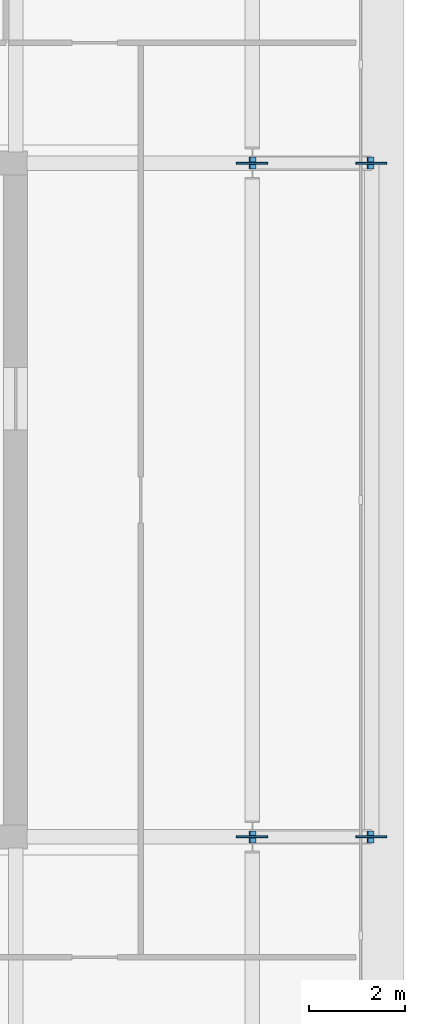
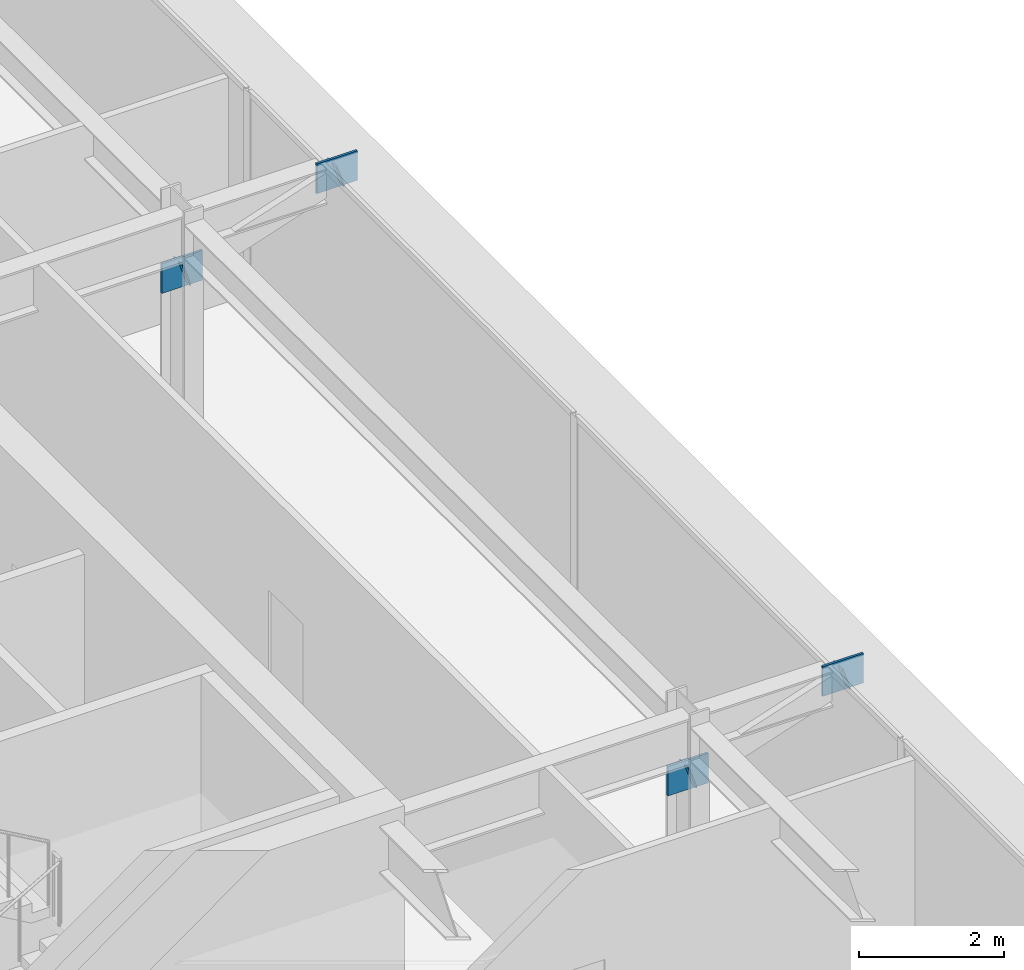
# One storey, part 12 of 21: 8 plates.
"""IFC4 building model written with IfcOpenShell, lengths in metres."""

import ifcopenshell
import ifcopenshell.guid

model = None  # the IFC model being written
_history = None  # IfcOwnerHistory: only IFC2X3 demands one
_inside = {}  # id of a spatial element -> (the spatial element, [elements in it])
_under = {}  # id of a project, library or spatial element -> (it, [spatial elements below it])
_declared = {}  # id of a project -> (the project, [libraries it declares])
_typed = {}  # id of a type object -> (the type object, [elements of that type])
_made_of = {}  # id of a material, layer set ... -> (it, [elements and type objects made of it])


def new_model(schema):
    """Start an empty IFC model of exactly this schema.

    Asked for "IFC4X3", IfcOpenShell would pick the latest addendum, in which some entities
    have other attributes; the version numbers below select the first issue.
    IFC2X3 requires an IfcOwnerHistory on every rooted entity: one is made here for all.
    """
    global model, _history
    if schema == "IFC4X3":
        model = ifcopenshell.file(schema_version=(4, 3, 0, 0))
    else:
        model = ifcopenshell.file(schema=schema)
    _inside.clear()
    _under.clear()
    _declared.clear()
    _typed.clear()
    _made_of.clear()
    _history = None
    if model.schema == "IFC2X3":
        org = make("IfcOrganization", Name="unknown")
        user = make(
            "IfcPersonAndOrganization",
            ThePerson=make("IfcPerson", FamilyName="unknown"),
            TheOrganization=org,
        )
        app = make(
            "IfcApplication",
            ApplicationDeveloper=org,
            Version="unknown",
            ApplicationFullName="unknown",
            ApplicationIdentifier="unknown",
        )
        _history = make(
            "IfcOwnerHistory",
            OwningUser=user,
            OwningApplication=app,
            ChangeAction="ADDED",
            CreationDate=0,
        )
    return model


def make(cls, **values):
    """One entity of the class cls with the attributes given. An attribute that is None is left unset."""
    return model.create_entity(
        cls, **{name: value for name, value in values.items() if value is not None}
    )


def rooted(cls, **values):
    """An entity with a GlobalId (a new one), such as an element, a storey or a relation."""
    return make(cls, GlobalId=ifcopenshell.guid.new(), OwnerHistory=_history, **values)


def si_unit(unit_type, name, prefix=None):
    """IfcSIUnit, for example si_unit("LENGTHUNIT", "METRE", prefix="MILLI")."""
    return make("IfcSIUnit", UnitType=unit_type, Prefix=prefix, Name=name)


def assignment(units):
    """IfcUnitAssignment: the units of a project."""
    return None if units is None else make("IfcUnitAssignment", Units=units)


def point(xyz):
    """IfcCartesianPoint."""
    return None if xyz is None else make("IfcCartesianPoint", Coordinates=xyz)


def direction(xyz):
    """IfcDirection."""
    return None if xyz is None else make("IfcDirection", DirectionRatios=xyz)


def frame(location, z_axis=None, x_axis=None):
    """IfcAxis2Placement3D, a coordinate frame: its origin and axes. An axis left out is left unset."""
    return make(
        "IfcAxis2Placement3D",
        Location=point(location),
        Axis=direction(z_axis),
        RefDirection=direction(x_axis),
    )


def frame_2d(location, x_axis=None):
    """IfcAxis2Placement2D, a coordinate frame in the plane: its origin and x axis."""
    return make(
        "IfcAxis2Placement2D", Location=point(location), RefDirection=direction(x_axis)
    )


def origin():
    """The frame at (0, 0, 0) with its axes left unset."""
    return frame((0.0, 0.0, 0.0))


def origin_2d():
    """The frame at (0, 0) in the plane with its x axis left unset."""
    return frame_2d((0.0, 0.0))


def place(relative_to, where):
    """IfcLocalPlacement: puts the frame where relative to a parent placement (None: the world)."""
    return make(
        "IfcLocalPlacement", PlacementRelTo=relative_to, RelativePlacement=where
    )


def context(
    kind, dimensions, precision=None, world=None, true_north=None, identifier=None
):
    """IfcGeometricRepresentationContext, for example the 3D "Model" context."""
    return make(
        "IfcGeometricRepresentationContext",
        ContextIdentifier=identifier,
        ContextType=kind,
        CoordinateSpaceDimension=dimensions,
        Precision=precision,
        WorldCoordinateSystem=world,
        TrueNorth=true_north,
    )


def subcontext(parent, identifier, kind, view, scale=None):
    """IfcGeometricRepresentationSubContext, for example "Body" below "Model"."""
    return make(
        "IfcGeometricRepresentationSubContext",
        ContextIdentifier=identifier,
        ContextType=kind,
        ParentContext=parent,
        TargetScale=scale,
        TargetView=view,
    )


def project(units=None, contexts=None):
    """IfcProject with its units and contexts."""
    return rooted(
        "IfcProject",
        Name="project",
        RepresentationContexts=contexts,
        UnitsInContext=assignment(units),
    )


def spatial(cls, under=None, at=None, **own):
    """A site, building, storey or space (cls), placed at a placement, below another one or the project."""
    s = rooted(cls, ObjectPlacement=at, **own)
    if under is not None:
        _under.setdefault(under.id(), (under, []))[1].append(s)
    return s


def profile(cls, at=None, kind="AREA", **sizes):
    """A parametric profile (cls). Its sizes go by their IFC names, for example OverallWidth=200.0."""
    return make(cls, ProfileType=kind, Position=at, **sizes)


def rectangle(**sizes):
    """IfcRectangleProfileDef."""
    return profile("IfcRectangleProfileDef", **sizes)


def extrude(swept, where, along, depth):
    """IfcExtrudedAreaSolid: the profile swept, set in the frame where, extruded along a direction by depth."""
    return make(
        "IfcExtrudedAreaSolid",
        SweptArea=swept,
        Position=where,
        ExtrudedDirection=direction(along),
        Depth=depth,
    )


def shape(context_of_items, identifier, shape_type, items):
    """IfcShapeRepresentation: the items that make up one representation, for example the "Body"."""
    return make(
        "IfcShapeRepresentation",
        ContextOfItems=context_of_items,
        RepresentationIdentifier=identifier,
        RepresentationType=shape_type,
        Items=items,
    )


def material(Name=None, Category=None):
    """IfcMaterial."""
    return make("IfcMaterial", Name=Name, Category=Category)


def layer(
    of_material, thickness, ventilated=None, Name=None, Category=None, Priority=None
):
    """IfcMaterialLayer: one layer of a wall or slab, of a material (None: an air gap)."""
    return make(
        "IfcMaterialLayer",
        Material=of_material,
        LayerThickness=thickness,
        IsVentilated=ventilated,
        Name=Name,
        Category=Category,
        Priority=Priority,
    )


def layer_set(layers, Name=None):
    """IfcMaterialLayerSet."""
    return make("IfcMaterialLayerSet", MaterialLayers=layers, LayerSetName=Name)


def made_of(thing, what):
    """Note that an element or type object is made of a material, layer set ...; save() writes the relation."""
    if what is not None:
        _made_of.setdefault(what.id(), (what, []))[1].append(thing)
    return thing


def type_object(cls, material=None, **own):
    """A type object (cls), such as IfcWallType, which elements share."""
    return made_of(rooted(cls, **own), material)


def element(
    cls,
    number,
    at=None,
    inside=None,
    cuts=None,
    type_object=None,
    material=None,
    context=None,
    identifier="Body",
    shape_type=None,
    held_by="IfcProductDefinitionShape",
    body=None,
    shapes=None,
    **own,
):
    """One element of the class cls, such as IfcWall. Its Tag is "e" and its number.

    at: its placement. inside: the storey or other place that contains it. cuts: it is an
    opening in that element (IfcRelVoidsElement). A single representation is given by context,
    identifier, shape_type and body (its items); several are given by shapes. held_by: the class
    of the entity that holds the representations. save() writes the other relations.
    """
    e = rooted(cls, Tag="e%d" % number, ObjectPlacement=at, **own)
    if body is not None:
        shapes = [shape(context, identifier, shape_type, body)]
    if shapes is not None:
        e.Representation = make(held_by, Representations=shapes)
    if inside is not None:
        _inside.setdefault(inside.id(), (inside, []))[1].append(e)
    if cuts is not None:
        rooted(
            "IfcRelVoidsElement", RelatingBuildingElement=cuts, RelatedOpeningElement=e
        )
    if type_object is not None:
        _typed.setdefault(type_object.id(), (type_object, []))[1].append(e)
    return made_of(e, material)


def aggregate(whole, parts):
    """IfcRelAggregates: a whole, such as a stair, and the parts it consists of."""
    return rooted("IfcRelAggregates", RelatingObject=whole, RelatedObjects=parts)


def save(model, path):
    """Write the relations noted so far, then the file.

    IfcRelAggregates (storeys below a building ...), IfcRelContainedInSpatialStructure (elements
    in a storey), IfcRelDefinesByType, IfcRelAssociatesMaterial and IfcRelDeclares: one each for
    every whole, place, type object, material and project.
    """
    for whole, parts in _under.values():
        aggregate(whole, parts)
    for where, things in _inside.values():
        rooted(
            "IfcRelContainedInSpatialStructure",
            RelatedElements=things,
            RelatingStructure=where,
        )
    for kind, things in _typed.values():
        rooted("IfcRelDefinesByType", RelatedObjects=things, RelatingType=kind)
    for what, things in _made_of.values():
        rooted("IfcRelAssociatesMaterial", RelatedObjects=things, RelatingMaterial=what)
    for by, libraries in _declared.values():
        rooted("IfcRelDeclares", RelatingContext=by, RelatedDefinitions=libraries)
    model.write(path)


model = new_model("IFC4")

# Units and contexts
model_context = context("Model", 3, precision=1e-05, world=origin(), true_north=direction((0.0, 1.0)))
body_context = subcontext(model_context, "Body", "Model", "MODEL_VIEW")
ifc_project = project(units=[si_unit("LENGTHUNIT", "METRE"), si_unit("AREAUNIT", "SQUARE_METRE"), si_unit("VOLUMEUNIT", "CUBIC_METRE"), si_unit("PLANEANGLEUNIT", "RADIAN"), si_unit("MASSUNIT", "GRAM", prefix="KILO")], contexts=[model_context])

# Site, building, storey
site_placement = place(None, origin())
site = spatial("IfcSite", under=ifc_project, at=site_placement, CompositionType="ELEMENT")
building_placement = place(site_placement, origin())
building = spatial("IfcBuilding", under=site, at=building_placement, Name="Putna Gate Headquarters", CompositionType="ELEMENT")
storey_placement = place(building_placement, frame((0.0, 0.0, 278.39990234375)))
storey = spatial("IfcBuildingStorey", under=building, at=storey_placement, Name="L70", CompositionType="ELEMENT", Elevation=278.39990234375)

# Plates
ifc_material_1 = material(Name="Steel S355J2", Category="steel")
ifc_layer_1 = layer(ifc_material_1, 0.02001953125)
ifc_layer_set_1 = layer_set([ifc_layer_1], Name="Steel S355J2")
plate_type_1 = type_object("IfcPlateType", Name="PLT-CAP-EC-R400", PredefinedType="SHEET", material=ifc_layer_set_1)
for number, where, z_axis, x_axis, name in (
    (1, (69.9150390625, 19.0, 2.75), (0.948683298051, 0.0, 0.316227766017), (0.0, 1.0, 0.0), "L70 East Sail Cantilever Raker Y19 End Cap Start"),
    (2, (72.369873046875, 19.0, 3.561767578125), (0.948683298051, 0.0, 0.316227766017), (0.0, 1.0, 0.0), "L70 East Sail Cantilever Raker Y19 End Cap End"),
    (3, (69.9150390625, 33.0, 2.75), (0.948683298051, 0.0, 0.316227766017), (0.0, 1.0, 0.0), "L70 East Sail Cantilever Raker Y33 End Cap Start"),
    (4, (72.369873046875, 33.0, 3.561767578125), (0.948683298051, 0.0, 0.316227766017), (0.0, 1.0, 0.0), "L70 East Sail Cantilever Raker Y33 End Cap End"),
):
    element("IfcPlate", number, at=place(storey_placement, frame(where, z_axis=z_axis, x_axis=x_axis)), inside=storey, type_object=plate_type_1, Name=name, PredefinedType="SHEET", context=body_context, shape_type="SweptSolid", body=[
        extrude(rectangle(XDim=0.25, YDim=0.39990234375, at=origin_2d()), origin(), (0.0, 0.0, 1.0), 0.02001953125),
    ])
ifc_material_2 = material(Name="Steel S460M", Category="steel")
ifc_layer_2 = layer(ifc_material_2, 0.0380859375)
ifc_layer_set_2 = layer_set([ifc_layer_2], Name="Steel S460M")
plate_type_2 = type_object("IfcPlateType", Name="PLT-NODE-TN1", PredefinedType="SHEET", material=ifc_layer_set_2)
for number, where, z_axis, x_axis, name in (
    (5, (69.9150390625, 19.0, 2.5), (0.0, 0.0, 1.0), (1.0, 0.0, 0.0), "L70 Sail Raker Node Plate TN1 Y19-1"),
    (6, (72.388916015625, 19.0, 3.318115234375), (0.0, 0.0, 1.0), (1.0, 0.0, 0.0), "L70 Sail Raker Node Plate TN1 Y19-2"),
    (7, (69.9150390625, 33.0, 2.5), (0.0, 0.0, 1.0), (1.0, 0.0, 0.0), "L70 Sail Raker Node Plate TN1 Y33-1"),
    (8, (72.388916015625, 33.0, 3.318115234375), (0.0, 0.0, 1.0), (1.0, 0.0, 0.0), "L70 Sail Raker Node Plate TN1 Y33-2"),
):
    element("IfcPlate", number, at=place(storey_placement, frame(where, z_axis=z_axis, x_axis=x_axis)), inside=storey, type_object=plate_type_2, Name=name, PredefinedType="SHEET", context=body_context, shape_type="SweptSolid", body=[
        extrude(rectangle(XDim=0.64990234375, YDim=0.0380859375, at=origin_2d()), origin(), (0.0, 0.0, 1.0), 0.5),
    ])

save(model, "model.ifc")
